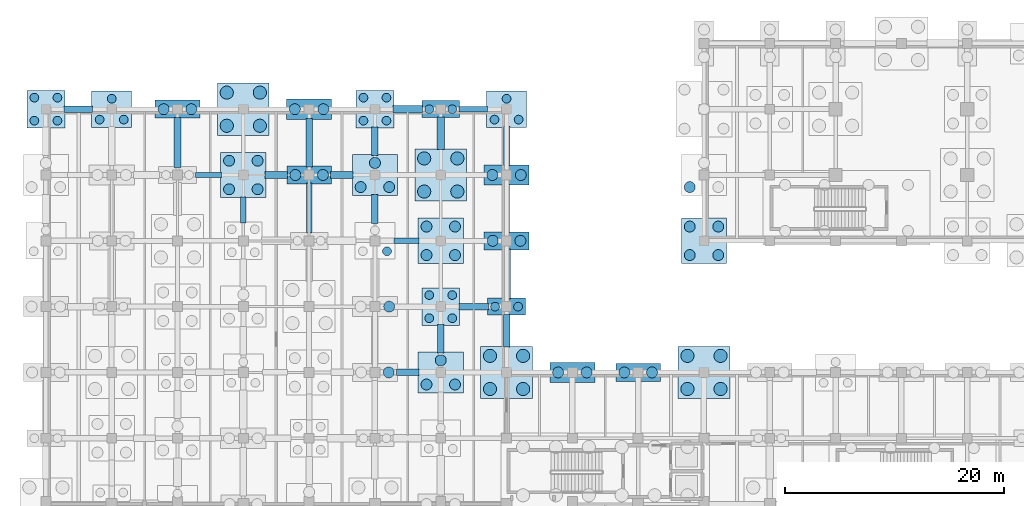
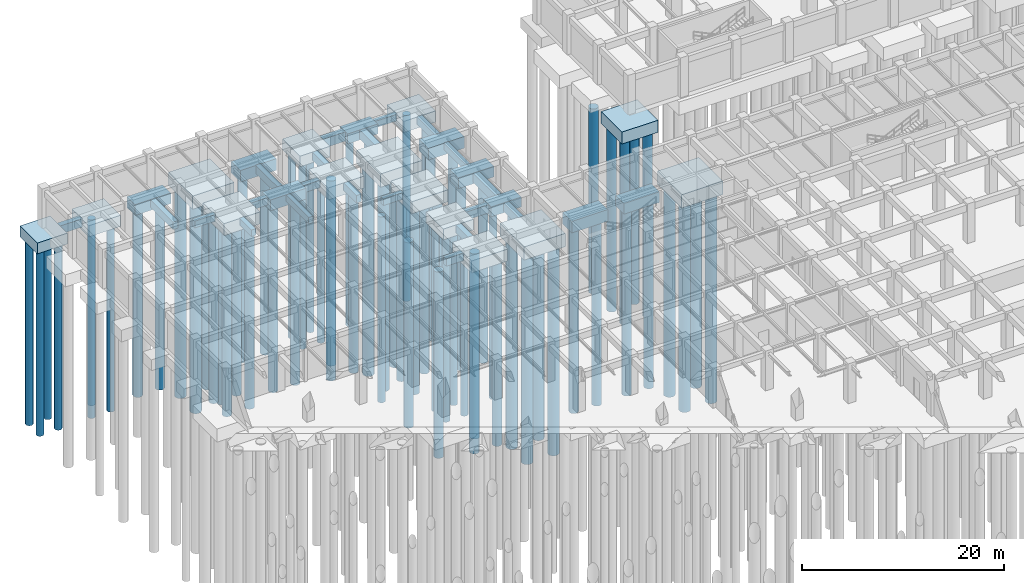
# One storey, part 12 of 54: 74 piles, 44 footings.
"""IFC4 building model written with IfcOpenShell, lengths in metres."""

from ifc_helpers import new_model, si_unit, direction, frame, origin, origin_2d, place, context, subcontext, project, spatial, rectangle, circle, extrude, material, material_profile, profile_set, type_object, element, save


model = new_model("IFC4")

# Units and contexts
model_context = context("Model", 3, precision=1e-05, world=origin(), true_north=direction((0.0, 1.0)))
body_context = subcontext(model_context, "Body", "Model", "MODEL_VIEW")
ifc_project = project(units=[si_unit("LENGTHUNIT", "METRE"), si_unit("AREAUNIT", "SQUARE_METRE"), si_unit("VOLUMEUNIT", "CUBIC_METRE"), si_unit("PLANEANGLEUNIT", "RADIAN"), si_unit("MASSUNIT", "GRAM", prefix="KILO"), si_unit("THERMODYNAMICTEMPERATUREUNIT", "KELVIN"), si_unit("POWERUNIT", "WATT")], contexts=[model_context])

# Site, building, storey
site_placement = place(None, origin())
site = spatial("IfcSite", under=ifc_project, at=site_placement, CompositionType="ELEMENT")
building_placement = place(site_placement, origin())
building = spatial("IfcBuilding", under=site, at=building_placement, Name="Phaisarnlok Congress Hotel", CompositionType="ELEMENT")
storey_placement = place(building_placement, frame((0.0, 0.0, -4.800048828125)))
storey = spatial("IfcBuildingStorey", under=building, at=storey_placement, Name="B01", CompositionType="ELEMENT", Elevation=-4.800048828125)

# Footings
ifc_material_1 = material(Name="Concrete C40/50", Category="concrete")
footing_type_1 = type_object("IfcFootingType", Name="CAP-2P-A", PredefinedType="PILE_CAP", material=ifc_material_1)
for number, where, z_axis, x_axis, name in (
    (1, (36.0, 120.0, -1.69970703125), (0.0, 0.0, 1.0), (1.0, 0.0, 0.0), "Pile cap PC-01 at (36,120)"),
    (2, (42.0, 102.0, -1.69970703125), (0.0, 0.0, 1.0), (1.0, 0.0, 0.0), "Pile cap PC-01 at (42,102)"),
):
    element("IfcFooting", number, at=place(storey_placement, frame(where, z_axis=z_axis, x_axis=x_axis)), inside=storey, type_object=footing_type_1, Name=name, PredefinedType="PILE_CAP", context=body_context, shape_type="SweptSolid", body=[
        extrude(rectangle(XDim=3.43994140625, YDim=1.5400390625, at=origin_2d()), origin(), (0.0, 0.0, 1.0), 1.199951171875),
    ])
footing_type_2 = type_object("IfcFootingType", Name="CAP-2P-B", PredefinedType="PILE_CAP", material=ifc_material_1)
for number, where, z_axis, x_axis, name in (
    (3, (12.0, 120.0, -1.7998046875), (0.0, 0.0, 1.0), (1.0, 0.0, 0.0), "Pile cap PC-02 at (12,120)"),
    (4, (24.0, 114.0, -1.7998046875), (0.0, 0.0, 1.0), (1.0, 0.0, 0.0), "Pile cap PC-02 at (24,114)"),
    (5, (42.0, 108.0, -1.7998046875), (0.0, 0.0, 1.0), (1.0, 0.0, 0.0), "Pile cap PC-02 at (42,108)"),
    (6, (54.0, 96.0, -1.7998046875), (0.0, 0.0, 1.0), (1.0, 0.0, 0.0), "Pile cap PC-02 at (54,96)"),
):
    element("IfcFooting", number, at=place(storey_placement, frame(where, z_axis=z_axis, x_axis=x_axis)), inside=storey, type_object=footing_type_2, Name=name, PredefinedType="PILE_CAP", context=body_context, shape_type="SweptSolid", body=[
        extrude(rectangle(XDim=4.080078125, YDim=1.639892578125, at=origin_2d()), origin(), (0.0, 0.0, 1.0), 1.300048828125),
    ])
footing_type_3 = type_object("IfcFootingType", Name="CAP-2P-C", PredefinedType="PILE_CAP", material=ifc_material_1)
for number, where, z_axis, x_axis, name in (
    (7, (24.0, 120.0, -1.89990234375), (0.0, 0.0, 1.0), (1.0, 0.0, 0.0), "Pile cap PC-03 at (24,120)"),
    (8, (42.0, 114.0, -1.89990234375), (0.0, 0.0, 1.0), (1.0, 0.0, 0.0), "Pile cap PC-03 at (42,114)"),
    (9, (48.0, 96.0, -1.89990234375), (0.0, 0.0, 1.0), (1.0, 0.0, 0.0), "Pile cap PC-03 at (48,96)"),
):
    element("IfcFooting", number, at=place(storey_placement, frame(where, z_axis=z_axis, x_axis=x_axis)), inside=storey, type_object=footing_type_3, Name=name, PredefinedType="PILE_CAP", context=body_context, shape_type="SweptSolid", body=[
        extrude(rectangle(XDim=4.1201171875, YDim=1.840087890625, at=origin_2d()), origin(), (0.0, 0.0, 1.0), 1.39990234375),
    ])
footing_type_4 = type_object("IfcFootingType", Name="CAP-3P-A", PredefinedType="PILE_CAP", material=ifc_material_1)
for number, where, z_axis, x_axis, name in (
    (10, (6.0, 120.0, -1.85009765625), (0.0, 0.0, 1.0), (1.0, 0.0, 0.0), "Pile cap PC-04 at (6,120)"),
    (11, (42.0, 120.0, -1.85009765625), (0.0, 0.0, 1.0), (1.0, 0.0, 0.0), "Pile cap PC-04 at (42,120)"),
):
    element("IfcFooting", number, at=place(storey_placement, frame(where, z_axis=z_axis, x_axis=x_axis)), inside=storey, type_object=footing_type_4, Name=name, PredefinedType="PILE_CAP", context=body_context, shape_type="SweptSolid", body=[
        extrude(rectangle(XDim=3.639892578125, YDim=3.340087890625, at=origin_2d()), origin(), (0.0, 0.0, 1.0), 1.35009765625),
    ])
footing_type_5 = type_object("IfcFootingType", Name="CAP-3P-B", PredefinedType="PILE_CAP", material=ifc_material_1)
for number, where, z_axis, x_axis, name in (
    (12, (30.0, 114.0, -1.94970703125), (0.0, 0.0, 1.0), (1.0, 0.0, 0.0), "Pile cap PC-05 at (30,114)"),
    (13, (36.0, 96.0, -1.94970703125), (0.0, 0.0, 1.0), (1.0, 0.0, 0.0), "Pile cap PC-05 at (36,96)"),
):
    element("IfcFooting", number, at=place(storey_placement, frame(where, z_axis=z_axis, x_axis=x_axis)), inside=storey, type_object=footing_type_5, Name=name, PredefinedType="PILE_CAP", context=body_context, shape_type="SweptSolid", body=[
        extrude(rectangle(XDim=4.1201171875, YDim=3.739990234375, at=origin_2d()), origin(), (0.0, 0.0, 1.0), 1.449951171875),
    ])
footing_type_6 = type_object("IfcFootingType", Name="CAP-4P-A", PredefinedType="PILE_CAP", material=ifc_material_1)
for number, where, z_axis, x_axis, name in (
    (14, (0.0, 120.0, -1.7998046875), (0.0, 0.0, 1.0), (1.0, 0.0, 0.0), "Pile cap PC-06 at (0,120)"),
    (15, (30.0, 120.0, -1.7998046875), (0.0, 0.0, 1.0), (1.0, 0.0, 0.0), "Pile cap PC-06 at (30,120)"),
    (16, (36.0, 102.0, -1.7998046875), (0.0, 0.0, 1.0), (1.0, 0.0, 0.0), "Pile cap PC-06 at (36,102)"),
):
    element("IfcFooting", number, at=place(storey_placement, frame(where, z_axis=z_axis, x_axis=x_axis)), inside=storey, type_object=footing_type_6, Name=name, PredefinedType="PILE_CAP", context=body_context, shape_type="SweptSolid", body=[
        extrude(rectangle(XDim=3.43994140625, YDim=3.43994140625, at=origin_2d()), origin(), (0.0, 0.0, 1.0), 1.300048828125),
    ])
footing_type_7 = type_object("IfcFootingType", Name="CAP-4P-B", PredefinedType="PILE_CAP", material=ifc_material_1)
for number, where, z_axis, x_axis, name in (
    (17, (18.0, 114.0, -1.94970703125), (0.0, 0.0, 1.0), (1.0, 0.0, 0.0), "Pile cap PC-07 at (18,114)"),
    (18, (36.0, 108.0, -1.94970703125), (0.0, 0.0, 1.0), (1.0, 0.0, 0.0), "Pile cap PC-07 at (36,108)"),
    (19, (60.0, 108.0, -1.94970703125), (0.0, 0.0, 1.0), (1.0, 0.0, 0.0), "Pile cap PC-07 at (60,108)"),
):
    element("IfcFooting", number, at=place(storey_placement, frame(where, z_axis=z_axis, x_axis=x_axis)), inside=storey, type_object=footing_type_7, Name=name, PredefinedType="PILE_CAP", context=body_context, shape_type="SweptSolid", body=[
        extrude(rectangle(XDim=4.1201171875, YDim=4.1201171875, at=origin_2d()), origin(), (0.0, 0.0, 1.0), 1.449951171875),
    ])
footing_type_8 = type_object("IfcFootingType", Name="CAP-4P-C", PredefinedType="PILE_CAP", material=ifc_material_1)
for number, where, z_axis, x_axis, name in (
    (20, (18.0, 120.0, -2.10009765625), (0.0, 0.0, 1.0), (1.0, 0.0, 0.0), "Pile cap PC-08 at (18,120)"),
    (21, (36.0, 114.0, -2.10009765625), (0.0, 0.0, 1.0), (1.0, 0.0, 0.0), "Pile cap PC-08 at (36,114)"),
    (22, (42.0, 96.0, -2.10009765625), (0.0, 0.0, 1.0), (1.0, 0.0, 0.0), "Pile cap PC-08 at (42,96)"),
    (23, (60.0, 96.0, -2.10009765625), (0.0, 0.0, 1.0), (1.0, 0.0, 0.0), "Pile cap PC-08 at (60,96)"),
):
    element("IfcFooting", number, at=place(storey_placement, frame(where, z_axis=z_axis, x_axis=x_axis)), inside=storey, type_object=footing_type_8, Name=name, PredefinedType="PILE_CAP", context=body_context, shape_type="SweptSolid", body=[
        extrude(rectangle(XDim=4.719970703125, YDim=4.760009765625, at=origin_2d()), origin(), (0.0, 0.0, 1.0), 1.60009765625),
    ])
ifc_material_profile_1 = material_profile(ifc_material_1, rectangle(XDim=0.5, YDim=0.800048828125, at=origin_2d()), Name="FB-500x800")
ifc_profile_set_1 = profile_set([ifc_material_profile_1], Name="Concrete C40/50")
footing_type_9 = type_object("IfcFootingType", Name="FB-500x800", PredefinedType="FOOTING_BEAM", material=ifc_profile_set_1)
for number, where, z_axis, x_axis, name in (
    (24, (13.64501953125, 114.0, -0.89990234375), (1.0, 0.0, 0.0), (0.0, 1.0, 0.0), "Ground tie beam FB-01"),
    (25, (18.0, 109.64501953125, -0.89990234375), (0.0, 1.0, 0.0), (-1.0, 0.0, 0.0), "Ground tie beam FB-01"),
):
    element("IfcFooting", number, at=place(storey_placement, frame(where, z_axis=z_axis, x_axis=x_axis)), inside=storey, type_object=footing_type_9, Name=name, PredefinedType="FOOTING_BEAM", context=body_context, shape_type="SweptSolid", body=[
        extrude(rectangle(XDim=0.5, YDim=0.800048828125, at=origin_2d()), origin(), (0.0, 0.0, 1.0), 2.369873046875),
    ])
footing_1_placement = place(storey_placement, frame((24.0, 108.695068359375, -0.89990234375), z_axis=(0.0, 1.0, 0.0), x_axis=(-1.0, 0.0, 0.0)))
element("IfcFooting", 26, at=footing_1_placement, inside=storey, type_object=footing_type_9, Name="Ground tie beam FB-01", PredefinedType="FOOTING_BEAM", context=body_context, shape_type="SweptSolid", body=[
    extrude(rectangle(XDim=0.5, YDim=0.800048828125, at=origin_2d()), origin(), (0.0, 0.0, 1.0), 4.559814453125),
])
footing_2_placement = place(storey_placement, frame((31.7451171875, 108.0, -0.89990234375), z_axis=(1.0, 0.0, 0.0), x_axis=(0.0, 1.0, 0.0)))
element("IfcFooting", 27, at=footing_2_placement, inside=storey, type_object=footing_type_9, Name="Ground tie beam FB-01", PredefinedType="FOOTING_BEAM", context=body_context, shape_type="SweptSolid", body=[
    extrude(rectangle(XDim=0.5, YDim=0.800048828125, at=origin_2d()), origin(), (0.0, 0.0, 1.0), 2.269775390625),
])
footing_3_placement = place(storey_placement, frame((37.64501953125, 120.0, -0.89990234375), z_axis=(1.0, 0.0, 0.0), x_axis=(0.0, 1.0, 0.0)))
element("IfcFooting", 28, at=footing_3_placement, inside=storey, type_object=footing_type_9, Name="Ground tie beam FB-01", PredefinedType="FOOTING_BEAM", context=body_context, shape_type="SweptSolid", body=[
    extrude(rectangle(XDim=0.5, YDim=0.800048828125, at=origin_2d()), origin(), (0.0, 0.0, 1.0), 2.60986328125),
])
footing_4_placement = place(storey_placement, frame((42.0, 108.7451171875, -0.89990234375), z_axis=(0.0, 1.0, 0.0), x_axis=(-1.0, 0.0, 0.0)))
element("IfcFooting", 29, at=footing_4_placement, inside=storey, type_object=footing_type_9, Name="Ground tie beam FB-01", PredefinedType="FOOTING_BEAM", context=body_context, shape_type="SweptSolid", body=[
    extrude(rectangle(XDim=0.5, YDim=0.800048828125, at=origin_2d()), origin(), (0.0, 0.0, 1.0), 4.409912109375),
])
ifc_material_profile_2 = material_profile(ifc_material_1, rectangle(XDim=0.60009765625, YDim=1.0, at=origin_2d()), Name="FB-600x1000")
ifc_profile_set_2 = profile_set([ifc_material_profile_2], Name="Concrete C40/50")
footing_type_10 = type_object("IfcFootingType", Name="FB-600x1000", PredefinedType="FOOTING_BEAM", material=ifc_profile_set_2)
footing_5_placement = place(storey_placement, frame((1.64501953125, 120.0, -1.0), z_axis=(1.0, 0.0, 0.0), x_axis=(0.0, 1.0, 0.0)))
element("IfcFooting", 30, at=footing_5_placement, inside=storey, type_object=footing_type_10, Name="Ground tie beam FB-03", PredefinedType="FOOTING_BEAM", context=body_context, shape_type="SweptSolid", body=[
    extrude(rectangle(XDim=0.60009765625, YDim=1.0, at=origin_2d()), origin(), (0.0, 0.0, 1.0), 2.60986328125),
])
footing_6_placement = place(storey_placement, frame((24.0, 114.7451171875, -1.0), z_axis=(0.0, 1.0, 0.0), x_axis=(-1.0, 0.0, 0.0)))
element("IfcFooting", 31, at=footing_6_placement, inside=storey, type_object=footing_type_10, Name="Ground tie beam FB-03", PredefinedType="FOOTING_BEAM", context=body_context, shape_type="SweptSolid", body=[
    extrude(rectangle(XDim=0.60009765625, YDim=1.0, at=origin_2d()), origin(), (0.0, 0.0, 1.0), 4.409912109375),
])
footing_7_placement = place(storey_placement, frame((30.0, 115.794921875, -1.0), z_axis=(0.0, 1.0, 0.0), x_axis=(-1.0, 0.0, 0.0)))
element("IfcFooting", 32, at=footing_7_placement, inside=storey, type_object=footing_type_10, Name="Ground tie beam FB-03", PredefinedType="FOOTING_BEAM", context=body_context, shape_type="SweptSolid", body=[
    extrude(rectangle(XDim=0.60009765625, YDim=1.0, at=origin_2d()), origin(), (0.0, 0.0, 1.0), 2.56005859375),
])
footing_8_placement = place(storey_placement, frame((37.64501953125, 102.0, -1.0), z_axis=(1.0, 0.0, 0.0), x_axis=(0.0, 1.0, 0.0)))
element("IfcFooting", 33, at=footing_8_placement, inside=storey, type_object=footing_type_10, Name="Ground tie beam FB-03", PredefinedType="FOOTING_BEAM", context=body_context, shape_type="SweptSolid", body=[
    extrude(rectangle(XDim=0.60009765625, YDim=1.0, at=origin_2d()), origin(), (0.0, 0.0, 1.0), 2.7099609375),
])
footing_9_placement = place(storey_placement, frame((42.0, 98.304931640625, -1.0), z_axis=(0.0, 1.0, 0.0), x_axis=(-1.0, 0.0, 0.0)))
element("IfcFooting", 34, at=footing_9_placement, inside=storey, type_object=footing_type_10, Name="Ground tie beam FB-03", PredefinedType="FOOTING_BEAM", context=body_context, shape_type="SweptSolid", body=[
    extrude(rectangle(XDim=0.60009765625, YDim=1.0, at=origin_2d()), origin(), (0.0, 0.0, 1.0), 3.0),
])
ifc_material_profile_3 = material_profile(ifc_material_1, rectangle(XDim=0.60009765625, YDim=0.89990234375, at=origin_2d()), Name="FB-600x900")
ifc_profile_set_3 = profile_set([ifc_material_profile_3], Name="Concrete C40/50")
footing_type_11 = type_object("IfcFootingType", Name="FB-600x900", PredefinedType="FOOTING_BEAM", material=ifc_profile_set_3)
footing_10_placement = place(storey_placement, frame((12.0, 114.695068359375, -0.949951171875), z_axis=(0.0, 1.0, 0.0), x_axis=(-1.0, 0.0, 0.0)))
element("IfcFooting", 35, at=footing_10_placement, inside=storey, type_object=footing_type_11, Name="Ground tie beam FB-02", PredefinedType="FOOTING_BEAM", context=body_context, shape_type="SweptSolid", body=[
    extrude(rectangle(XDim=0.60009765625, YDim=0.89990234375, at=origin_2d()), origin(), (0.0, 0.0, 1.0), 4.559814453125),
])
for number, where, z_axis, x_axis, name in (
    (36, (19.985107421875, 114.0, -0.949951171875), (1.0, 0.0, 0.0), (0.0, 1.0, 0.0), "Ground tie beam FB-02"),
    (37, (25.965087890625, 114.0, -0.949951171875), (1.0, 0.0, 0.0), (0.0, 1.0, 0.0), "Ground tie beam FB-02"),
    (38, (31.965087890625, 96.0, -0.949951171875), (1.0, 0.0, 0.0), (0.0, 1.0, 0.0), "Ground tie beam FB-02"),
):
    element("IfcFooting", number, at=place(storey_placement, frame(where, z_axis=z_axis, x_axis=x_axis)), inside=storey, type_object=footing_type_11, Name=name, PredefinedType="FOOTING_BEAM", context=body_context, shape_type="SweptSolid", body=[
        extrude(rectangle(XDim=0.60009765625, YDim=0.89990234375, at=origin_2d()), origin(), (0.0, 0.0, 1.0), 2.0498046875),
    ])
footing_11_placement = place(storey_placement, frame((30.0, 109.594970703125, -0.949951171875), z_axis=(0.0, 1.0, 0.0), x_axis=(-1.0, 0.0, 0.0)))
element("IfcFooting", 39, at=footing_11_placement, inside=storey, type_object=footing_type_11, Name="Ground tie beam FB-02", PredefinedType="FOOTING_BEAM", context=body_context, shape_type="SweptSolid", body=[
    extrude(rectangle(XDim=0.60009765625, YDim=0.89990234375, at=origin_2d()), origin(), (0.0, 0.0, 1.0), 2.610107421875),
])
footing_12_placement = place(storey_placement, frame((36.0, 97.794921875, -0.949951171875), z_axis=(0.0, 1.0, 0.0), x_axis=(-1.0, 0.0, 0.0)))
element("IfcFooting", 40, at=footing_12_placement, inside=storey, type_object=footing_type_11, Name="Ground tie beam FB-02", PredefinedType="FOOTING_BEAM", context=body_context, shape_type="SweptSolid", body=[
    extrude(rectangle(XDim=0.60009765625, YDim=0.89990234375, at=origin_2d()), origin(), (0.0, 0.0, 1.0), 2.56005859375),
])
footing_13_placement = place(storey_placement, frame((42.0, 114.844970703125, -0.949951171875), z_axis=(0.0, 1.0, 0.0), x_axis=(-1.0, 0.0, 0.0)))
element("IfcFooting", 41, at=footing_13_placement, inside=storey, type_object=footing_type_11, Name="Ground tie beam FB-02", PredefinedType="FOOTING_BEAM", context=body_context, shape_type="SweptSolid", body=[
    extrude(rectangle(XDim=0.60009765625, YDim=0.89990234375, at=origin_2d()), origin(), (0.0, 0.0, 1.0), 3.56005859375),
])
ifc_material_profile_4 = material_profile(ifc_material_1, rectangle(XDim=0.699951171875, YDim=1.10009765625, at=origin_2d()), Name="FB-700x1100")
ifc_profile_set_4 = profile_set([ifc_material_profile_4], Name="Concrete C40/50")
footing_type_12 = type_object("IfcFootingType", Name="FB-700x1100", PredefinedType="FOOTING_BEAM", material=ifc_profile_set_4)
footing_14_placement = place(storey_placement, frame((31.64501953125, 120.0, -1.050048828125), z_axis=(1.0, 0.0, 0.0), x_axis=(0.0, 1.0, 0.0)))
element("IfcFooting", 42, at=footing_14_placement, inside=storey, type_object=footing_type_12, Name="Ground tie beam FB-04", PredefinedType="FOOTING_BEAM", context=body_context, shape_type="SweptSolid", body=[
    extrude(rectangle(XDim=0.699951171875, YDim=1.10009765625, at=origin_2d()), origin(), (0.0, 0.0, 1.0), 2.7099609375),
])
footing_15_placement = place(storey_placement, frame((36.0, 116.304931640625, -1.050048828125), z_axis=(0.0, 1.0, 0.0), x_axis=(-1.0, 0.0, 0.0)))
element("IfcFooting", 43, at=footing_15_placement, inside=storey, type_object=footing_type_12, Name="Ground tie beam FB-04", PredefinedType="FOOTING_BEAM", context=body_context, shape_type="SweptSolid", body=[
    extrude(rectangle(XDim=0.699951171875, YDim=1.10009765625, at=origin_2d()), origin(), (0.0, 0.0, 1.0), 3.0),
])
footing_16_placement = place(storey_placement, frame((42.0, 102.695068359375, -1.050048828125), z_axis=(0.0, 1.0, 0.0), x_axis=(-1.0, 0.0, 0.0)))
element("IfcFooting", 44, at=footing_16_placement, inside=storey, type_object=footing_type_12, Name="Ground tie beam FB-04", PredefinedType="FOOTING_BEAM", context=body_context, shape_type="SweptSolid", body=[
    extrude(rectangle(XDim=0.699951171875, YDim=1.10009765625, at=origin_2d()), origin(), (0.0, 0.0, 1.0), 4.559814453125),
])

# Piles
ifc_material_2 = material(Name="Concrete C35/45", Category="concrete")
ifc_material_profile_5 = material_profile(ifc_material_2, circle(Radius=0.5, at=origin_2d()), Name="BORED PILE D1000")
ifc_profile_set_5 = profile_set([ifc_material_profile_5], Name="Concrete C35/45")
pile_type_1 = type_object("IfcPileType", Name="PILE-D1000", PredefinedType="BORED", material=ifc_profile_set_5)
for number, where, z_axis, x_axis, name in (
    (45, (10.739990234375, 120.0, -1.699951171875), (0.0, 0.0, -1.0), (1.0, 0.0, 0.0), "Bored pile PL-02 (FTG-B01-012-120-1)"),
    (46, (13.260009765625, 120.0, -1.699951171875), (0.0, 0.0, -1.0), (1.0, 0.0, 0.0), "Bored pile PL-02 (FTG-B01-012-120-2)"),
):
    element("IfcPile", number, at=place(storey_placement, frame(where, z_axis=z_axis, x_axis=x_axis)), inside=storey, type_object=pile_type_1, Name=name, PredefinedType="BORED", context=body_context, shape_type="SweptSolid", body=[
        extrude(circle(Radius=0.5, at=origin_2d()), origin(), (0.0, 0.0, 1.0), 22.5),
    ])
for number, where, z_axis, x_axis, name in (
    (47, (16.699951171875, 112.699951171875, -1.849853515625), (0.0, 0.0, -1.0), (1.0, 0.0, 0.0), "Bored pile PL-02 (FTG-B01-018-114-1)"),
    (48, (19.300048828125, 112.699951171875, -1.849853515625), (0.0, 0.0, -1.0), (1.0, 0.0, 0.0), "Bored pile PL-02 (FTG-B01-018-114-2)"),
    (49, (16.699951171875, 115.300048828125, -1.849853515625), (0.0, 0.0, -1.0), (1.0, 0.0, 0.0), "Bored pile PL-02 (FTG-B01-018-114-3)"),
    (50, (19.300048828125, 115.300048828125, -1.849853515625), (0.0, 0.0, -1.0), (1.0, 0.0, 0.0), "Bored pile PL-02 (FTG-B01-018-114-4)"),
):
    element("IfcPile", number, at=place(storey_placement, frame(where, z_axis=z_axis, x_axis=x_axis)), inside=storey, type_object=pile_type_1, Name=name, PredefinedType="BORED", context=body_context, shape_type="SweptSolid", body=[
        extrude(circle(Radius=0.5, at=origin_2d()), origin(), (0.0, 0.0, 1.0), 22.35009765625),
    ])
for number, where, z_axis, x_axis, name in (
    (51, (22.739990234375, 114.0, -1.699951171875), (0.0, 0.0, -1.0), (1.0, 0.0, 0.0), "Bored pile PL-02 (FTG-B01-024-114-1)"),
    (52, (25.260009765625, 114.0, -1.699951171875), (0.0, 0.0, -1.0), (1.0, 0.0, 0.0), "Bored pile PL-02 (FTG-B01-024-114-2)"),
):
    element("IfcPile", number, at=place(storey_placement, frame(where, z_axis=z_axis, x_axis=x_axis)), inside=storey, type_object=pile_type_1, Name=name, PredefinedType="BORED", context=body_context, shape_type="SweptSolid", body=[
        extrude(circle(Radius=0.5, at=origin_2d()), origin(), (0.0, 0.0, 1.0), 22.5),
    ])
for number, where, z_axis, x_axis, name in (
    (53, (22.699951171875, 120.0, -1.800048828125), (0.0, 0.0, -1.0), (1.0, 0.0, 0.0), "Bored pile PL-02 (FTG-B01-024-120-1)"),
    (54, (25.300048828125, 120.0, -1.800048828125), (0.0, 0.0, -1.0), (1.0, 0.0, 0.0), "Bored pile PL-02 (FTG-B01-024-120-2)"),
):
    element("IfcPile", number, at=place(storey_placement, frame(where, z_axis=z_axis, x_axis=x_axis)), inside=storey, type_object=pile_type_1, Name=name, PredefinedType="BORED", context=body_context, shape_type="SweptSolid", body=[
        extrude(circle(Radius=0.5, at=origin_2d()), origin(), (0.0, 0.0, 1.0), 22.39990234375),
    ])
pile_1_placement = place(storey_placement, frame((31.260009765625, 96.0, -1.699951171875), z_axis=(0.0, 0.0, -1.0), x_axis=(1.0, 0.0, 0.0)))
element("IfcPile", 55, at=pile_1_placement, inside=storey, type_object=pile_type_1, Name="Bored pile PL-02 (FTG-B01-030-096-2)", PredefinedType="BORED", context=body_context, shape_type="SweptSolid", body=[
    extrude(circle(Radius=0.5, at=origin_2d()), origin(), (0.0, 0.0, 1.0), 22.5),
])
pile_2_placement = place(storey_placement, frame((31.300048828125, 102.0, -1.800048828125), z_axis=(0.0, 0.0, -1.0), x_axis=(1.0, 0.0, 0.0)))
element("IfcPile", 56, at=pile_2_placement, inside=storey, type_object=pile_type_1, Name="Bored pile PL-02 (FTG-B01-030-102-2)", PredefinedType="BORED", context=body_context, shape_type="SweptSolid", body=[
    extrude(circle(Radius=0.5, at=origin_2d()), origin(), (0.0, 0.0, 1.0), 22.39990234375),
])
for number, where, z_axis, x_axis, name in (
    (57, (28.699951171875, 112.89990234375, -1.849853515625), (0.0, 0.0, -1.0), (1.0, 0.0, 0.0), "Bored pile PL-02 (FTG-B01-030-114-1)"),
    (58, (31.300048828125, 112.89990234375, -1.849853515625), (0.0, 0.0, -1.0), (1.0, 0.0, 0.0), "Bored pile PL-02 (FTG-B01-030-114-2)"),
    (59, (30.0, 115.10009765625, -1.849853515625), (0.0, 0.0, -1.0), (1.0, 0.0, 0.0), "Bored pile PL-02 (FTG-B01-030-114-3)"),
    (60, (34.699951171875, 94.89990234375, -1.849853515625), (0.0, 0.0, -1.0), (1.0, 0.0, 0.0), "Bored pile PL-02 (FTG-B01-036-096-1)"),
    (61, (37.300048828125, 94.89990234375, -1.849853515625), (0.0, 0.0, -1.0), (1.0, 0.0, 0.0), "Bored pile PL-02 (FTG-B01-036-096-2)"),
    (62, (36.0, 97.10009765625, -1.849853515625), (0.0, 0.0, -1.0), (1.0, 0.0, 0.0), "Bored pile PL-02 (FTG-B01-036-096-3)"),
    (63, (34.699951171875, 106.699951171875, -1.849853515625), (0.0, 0.0, -1.0), (1.0, 0.0, 0.0), "Bored pile PL-02 (FTG-B01-036-108-1)"),
    (64, (37.300048828125, 106.699951171875, -1.849853515625), (0.0, 0.0, -1.0), (1.0, 0.0, 0.0), "Bored pile PL-02 (FTG-B01-036-108-2)"),
    (65, (34.699951171875, 109.300048828125, -1.849853515625), (0.0, 0.0, -1.0), (1.0, 0.0, 0.0), "Bored pile PL-02 (FTG-B01-036-108-3)"),
    (66, (37.300048828125, 109.300048828125, -1.849853515625), (0.0, 0.0, -1.0), (1.0, 0.0, 0.0), "Bored pile PL-02 (FTG-B01-036-108-4)"),
):
    element("IfcPile", number, at=place(storey_placement, frame(where, z_axis=z_axis, x_axis=x_axis)), inside=storey, type_object=pile_type_1, Name=name, PredefinedType="BORED", context=body_context, shape_type="SweptSolid", body=[
        extrude(circle(Radius=0.5, at=origin_2d()), origin(), (0.0, 0.0, 1.0), 22.35009765625),
    ])
for number, where, z_axis, x_axis, name in (
    (67, (40.739990234375, 108.0, -1.699951171875), (0.0, 0.0, -1.0), (1.0, 0.0, 0.0), "Bored pile PL-02 (FTG-B01-042-108-1)"),
    (68, (43.260009765625, 108.0, -1.699951171875), (0.0, 0.0, -1.0), (1.0, 0.0, 0.0), "Bored pile PL-02 (FTG-B01-042-108-2)"),
):
    element("IfcPile", number, at=place(storey_placement, frame(where, z_axis=z_axis, x_axis=x_axis)), inside=storey, type_object=pile_type_1, Name=name, PredefinedType="BORED", context=body_context, shape_type="SweptSolid", body=[
        extrude(circle(Radius=0.5, at=origin_2d()), origin(), (0.0, 0.0, 1.0), 22.5),
    ])
for number, where, z_axis, x_axis, name in (
    (69, (40.699951171875, 114.0, -1.800048828125), (0.0, 0.0, -1.0), (1.0, 0.0, 0.0), "Bored pile PL-02 (FTG-B01-042-114-1)"),
    (70, (43.300048828125, 114.0, -1.800048828125), (0.0, 0.0, -1.0), (1.0, 0.0, 0.0), "Bored pile PL-02 (FTG-B01-042-114-2)"),
    (71, (46.699951171875, 96.0, -1.800048828125), (0.0, 0.0, -1.0), (1.0, 0.0, 0.0), "Bored pile PL-02 (FTG-B01-048-096-1)"),
    (72, (49.300048828125, 96.0, -1.800048828125), (0.0, 0.0, -1.0), (1.0, 0.0, 0.0), "Bored pile PL-02 (FTG-B01-048-096-2)"),
):
    element("IfcPile", number, at=place(storey_placement, frame(where, z_axis=z_axis, x_axis=x_axis)), inside=storey, type_object=pile_type_1, Name=name, PredefinedType="BORED", context=body_context, shape_type="SweptSolid", body=[
        extrude(circle(Radius=0.5, at=origin_2d()), origin(), (0.0, 0.0, 1.0), 22.39990234375),
    ])
for number, where, z_axis, x_axis, name in (
    (73, (52.739990234375, 96.0, -1.699951171875), (0.0, 0.0, -1.0), (1.0, 0.0, 0.0), "Bored pile PL-02 (FTG-B01-054-096-1)"),
    (74, (55.260009765625, 96.0, -1.699951171875), (0.0, 0.0, -1.0), (1.0, 0.0, 0.0), "Bored pile PL-02 (FTG-B01-054-096-2)"),
):
    element("IfcPile", number, at=place(storey_placement, frame(where, z_axis=z_axis, x_axis=x_axis)), inside=storey, type_object=pile_type_1, Name=name, PredefinedType="BORED", context=body_context, shape_type="SweptSolid", body=[
        extrude(circle(Radius=0.5, at=origin_2d()), origin(), (0.0, 0.0, 1.0), 22.5),
    ])
for number, where, z_axis, x_axis, name in (
    (75, (58.699951171875, 106.699951171875, -1.849853515625), (0.0, 0.0, -1.0), (1.0, 0.0, 0.0), "Bored pile PL-02 (FTG-B01-060-108-1)"),
    (76, (61.300048828125, 106.699951171875, -1.849853515625), (0.0, 0.0, -1.0), (1.0, 0.0, 0.0), "Bored pile PL-02 (FTG-B01-060-108-2)"),
    (77, (58.699951171875, 109.300048828125, -1.849853515625), (0.0, 0.0, -1.0), (1.0, 0.0, 0.0), "Bored pile PL-02 (FTG-B01-060-108-3)"),
    (78, (61.300048828125, 109.300048828125, -1.849853515625), (0.0, 0.0, -1.0), (1.0, 0.0, 0.0), "Bored pile PL-02 (FTG-B01-060-108-4)"),
    (79, (58.699951171875, 112.89990234375, -1.849853515625), (0.0, 0.0, -1.0), (1.0, 0.0, 0.0), "Bored pile PL-02 (FTG-B01-060-114-1)"),
):
    element("IfcPile", number, at=place(storey_placement, frame(where, z_axis=z_axis, x_axis=x_axis)), inside=storey, type_object=pile_type_1, Name=name, PredefinedType="BORED", context=body_context, shape_type="SweptSolid", body=[
        extrude(circle(Radius=0.5, at=origin_2d()), origin(), (0.0, 0.0, 1.0), 22.35009765625),
    ])
ifc_material_profile_6 = material_profile(ifc_material_2, circle(Radius=0.60009765625, at=origin_2d()), Name="BORED PILE D1200")
ifc_profile_set_6 = profile_set([ifc_material_profile_6], Name="Concrete C35/45")
pile_type_2 = type_object("IfcPileType", Name="PILE-D1200", PredefinedType="BORED", material=ifc_profile_set_6)
for number, where, z_axis, x_axis, name in (
    (80, (16.489990234375, 118.489990234375, -2.0), (0.0, 0.0, -1.0), (1.0, 0.0, 0.0), "Bored pile PL-03 (FTG-B01-018-120-1)"),
    (81, (19.510009765625, 118.489990234375, -2.0), (0.0, 0.0, -1.0), (1.0, 0.0, 0.0), "Bored pile PL-03 (FTG-B01-018-120-2)"),
    (82, (16.489990234375, 121.510009765625, -2.0), (0.0, 0.0, -1.0), (1.0, 0.0, 0.0), "Bored pile PL-03 (FTG-B01-018-120-3)"),
    (83, (19.510009765625, 121.510009765625, -2.0), (0.0, 0.0, -1.0), (1.0, 0.0, 0.0), "Bored pile PL-03 (FTG-B01-018-120-4)"),
    (84, (34.489990234375, 112.489990234375, -2.0), (0.0, 0.0, -1.0), (1.0, 0.0, 0.0), "Bored pile PL-03 (FTG-B01-036-114-1)"),
    (85, (37.510009765625, 112.489990234375, -2.0), (0.0, 0.0, -1.0), (1.0, 0.0, 0.0), "Bored pile PL-03 (FTG-B01-036-114-2)"),
    (86, (34.489990234375, 115.510009765625, -2.0), (0.0, 0.0, -1.0), (1.0, 0.0, 0.0), "Bored pile PL-03 (FTG-B01-036-114-3)"),
    (87, (37.510009765625, 115.510009765625, -2.0), (0.0, 0.0, -1.0), (1.0, 0.0, 0.0), "Bored pile PL-03 (FTG-B01-036-114-4)"),
    (88, (40.489990234375, 94.489990234375, -2.0), (0.0, 0.0, -1.0), (1.0, 0.0, 0.0), "Bored pile PL-03 (FTG-B01-042-096-1)"),
    (89, (43.510009765625, 94.489990234375, -2.0), (0.0, 0.0, -1.0), (1.0, 0.0, 0.0), "Bored pile PL-03 (FTG-B01-042-096-2)"),
    (90, (40.489990234375, 97.510009765625, -2.0), (0.0, 0.0, -1.0), (1.0, 0.0, 0.0), "Bored pile PL-03 (FTG-B01-042-096-3)"),
    (91, (43.510009765625, 97.510009765625, -2.0), (0.0, 0.0, -1.0), (1.0, 0.0, 0.0), "Bored pile PL-03 (FTG-B01-042-096-4)"),
    (92, (58.489990234375, 94.489990234375, -2.0), (0.0, 0.0, -1.0), (1.0, 0.0, 0.0), "Bored pile PL-03 (FTG-B01-060-096-1)"),
    (93, (61.510009765625, 94.489990234375, -2.0), (0.0, 0.0, -1.0), (1.0, 0.0, 0.0), "Bored pile PL-03 (FTG-B01-060-096-2)"),
    (94, (58.489990234375, 97.510009765625, -2.0), (0.0, 0.0, -1.0), (1.0, 0.0, 0.0), "Bored pile PL-03 (FTG-B01-060-096-3)"),
    (95, (61.510009765625, 97.510009765625, -2.0), (0.0, 0.0, -1.0), (1.0, 0.0, 0.0), "Bored pile PL-03 (FTG-B01-060-096-4)"),
):
    element("IfcPile", number, at=place(storey_placement, frame(where, z_axis=z_axis, x_axis=x_axis)), inside=storey, type_object=pile_type_2, Name=name, PredefinedType="BORED", context=body_context, shape_type="SweptSolid", body=[
        extrude(circle(Radius=0.60009765625, at=origin_2d()), origin(), (0.0, 0.0, 1.0), 25.199951171875),
    ])
ifc_material_profile_7 = material_profile(ifc_material_2, circle(Radius=0.39990234375, at=origin_2d()), Name="BORED PILE D800")
ifc_profile_set_7 = profile_set([ifc_material_profile_7], Name="Concrete C35/45")
pile_type_3 = type_object("IfcPileType", Name="PILE-D800", PredefinedType="BORED", material=ifc_profile_set_7)
for number, where, z_axis, x_axis, name in (
    (96, (-1.050048828125, 118.949951171875, -1.699951171875), (0.0, 0.0, -1.0), (1.0, 0.0, 0.0), "Bored pile PL-01 (FTG-B01-000-120-1)"),
    (97, (1.050048828125, 118.949951171875, -1.699951171875), (0.0, 0.0, -1.0), (1.0, 0.0, 0.0), "Bored pile PL-01 (FTG-B01-000-120-2)"),
    (98, (-1.050048828125, 121.050048828125, -1.699951171875), (0.0, 0.0, -1.0), (1.0, 0.0, 0.0), "Bored pile PL-01 (FTG-B01-000-120-3)"),
    (99, (1.050048828125, 121.050048828125, -1.699951171875), (0.0, 0.0, -1.0), (1.0, 0.0, 0.0), "Bored pile PL-01 (FTG-B01-000-120-4)"),
):
    element("IfcPile", number, at=place(storey_placement, frame(where, z_axis=z_axis, x_axis=x_axis)), inside=storey, type_object=pile_type_3, Name=name, PredefinedType="BORED", context=body_context, shape_type="SweptSolid", body=[
        extrude(circle(Radius=0.39990234375, at=origin_2d()), origin(), (0.0, 0.0, 1.0), 22.5),
    ])
for number, where, z_axis, x_axis, name in (
    (100, (4.89990234375, 119.050048828125, -1.75), (0.0, 0.0, -1.0), (1.0, 0.0, 0.0), "Bored pile PL-01 (FTG-B01-006-120-1)"),
    (101, (7.10009765625, 119.050048828125, -1.75), (0.0, 0.0, -1.0), (1.0, 0.0, 0.0), "Bored pile PL-01 (FTG-B01-006-120-2)"),
    (102, (6.0, 120.949951171875, -1.75), (0.0, 0.0, -1.0), (1.0, 0.0, 0.0), "Bored pile PL-01 (FTG-B01-006-120-3)"),
    (103, (31.10009765625, 107.050048828125, -1.75), (0.0, 0.0, -1.0), (1.0, 0.0, 0.0), "Bored pile PL-01 (FTG-B01-030-108-2)"),
):
    element("IfcPile", number, at=place(storey_placement, frame(where, z_axis=z_axis, x_axis=x_axis)), inside=storey, type_object=pile_type_3, Name=name, PredefinedType="BORED", context=body_context, shape_type="SweptSolid", body=[
        extrude(circle(Radius=0.39990234375, at=origin_2d()), origin(), (0.0, 0.0, 1.0), 22.449951171875),
    ])
for number, where, z_axis, x_axis, name in (
    (104, (28.949951171875, 118.949951171875, -1.699951171875), (0.0, 0.0, -1.0), (1.0, 0.0, 0.0), "Bored pile PL-01 (FTG-B01-030-120-1)"),
    (105, (31.050048828125, 118.949951171875, -1.699951171875), (0.0, 0.0, -1.0), (1.0, 0.0, 0.0), "Bored pile PL-01 (FTG-B01-030-120-2)"),
    (106, (28.949951171875, 121.050048828125, -1.699951171875), (0.0, 0.0, -1.0), (1.0, 0.0, 0.0), "Bored pile PL-01 (FTG-B01-030-120-3)"),
    (107, (31.050048828125, 121.050048828125, -1.699951171875), (0.0, 0.0, -1.0), (1.0, 0.0, 0.0), "Bored pile PL-01 (FTG-B01-030-120-4)"),
    (108, (34.949951171875, 100.949951171875, -1.699951171875), (0.0, 0.0, -1.0), (1.0, 0.0, 0.0), "Bored pile PL-01 (FTG-B01-036-102-1)"),
    (109, (37.050048828125, 100.949951171875, -1.699951171875), (0.0, 0.0, -1.0), (1.0, 0.0, 0.0), "Bored pile PL-01 (FTG-B01-036-102-2)"),
    (110, (34.949951171875, 103.050048828125, -1.699951171875), (0.0, 0.0, -1.0), (1.0, 0.0, 0.0), "Bored pile PL-01 (FTG-B01-036-102-3)"),
    (111, (37.050048828125, 103.050048828125, -1.699951171875), (0.0, 0.0, -1.0), (1.0, 0.0, 0.0), "Bored pile PL-01 (FTG-B01-036-102-4)"),
):
    element("IfcPile", number, at=place(storey_placement, frame(where, z_axis=z_axis, x_axis=x_axis)), inside=storey, type_object=pile_type_3, Name=name, PredefinedType="BORED", context=body_context, shape_type="SweptSolid", body=[
        extrude(circle(Radius=0.39990234375, at=origin_2d()), origin(), (0.0, 0.0, 1.0), 22.5),
    ])
for number, where, z_axis, x_axis, name in (
    (112, (34.949951171875, 120.0, -1.599853515625), (0.0, 0.0, -1.0), (1.0, 0.0, 0.0), "Bored pile PL-01 (FTG-B01-036-120-1)"),
    (113, (37.050048828125, 120.0, -1.599853515625), (0.0, 0.0, -1.0), (1.0, 0.0, 0.0), "Bored pile PL-01 (FTG-B01-036-120-2)"),
    (114, (40.949951171875, 102.0, -1.599853515625), (0.0, 0.0, -1.0), (1.0, 0.0, 0.0), "Bored pile PL-01 (FTG-B01-042-102-1)"),
    (115, (43.050048828125, 102.0, -1.599853515625), (0.0, 0.0, -1.0), (1.0, 0.0, 0.0), "Bored pile PL-01 (FTG-B01-042-102-2)"),
):
    element("IfcPile", number, at=place(storey_placement, frame(where, z_axis=z_axis, x_axis=x_axis)), inside=storey, type_object=pile_type_3, Name=name, PredefinedType="BORED", context=body_context, shape_type="SweptSolid", body=[
        extrude(circle(Radius=0.39990234375, at=origin_2d()), origin(), (0.0, 0.0, 1.0), 22.60009765625),
    ])
for number, where, z_axis, x_axis, name in (
    (116, (40.89990234375, 119.050048828125, -1.75), (0.0, 0.0, -1.0), (1.0, 0.0, 0.0), "Bored pile PL-01 (FTG-B01-042-120-1)"),
    (117, (43.10009765625, 119.050048828125, -1.75), (0.0, 0.0, -1.0), (1.0, 0.0, 0.0), "Bored pile PL-01 (FTG-B01-042-120-2)"),
    (118, (42.0, 120.949951171875, -1.75), (0.0, 0.0, -1.0), (1.0, 0.0, 0.0), "Bored pile PL-01 (FTG-B01-042-120-3)"),
):
    element("IfcPile", number, at=place(storey_placement, frame(where, z_axis=z_axis, x_axis=x_axis)), inside=storey, type_object=pile_type_3, Name=name, PredefinedType="BORED", context=body_context, shape_type="SweptSolid", body=[
        extrude(circle(Radius=0.39990234375, at=origin_2d()), origin(), (0.0, 0.0, 1.0), 22.449951171875),
    ])

save(model, "model.ifc")
